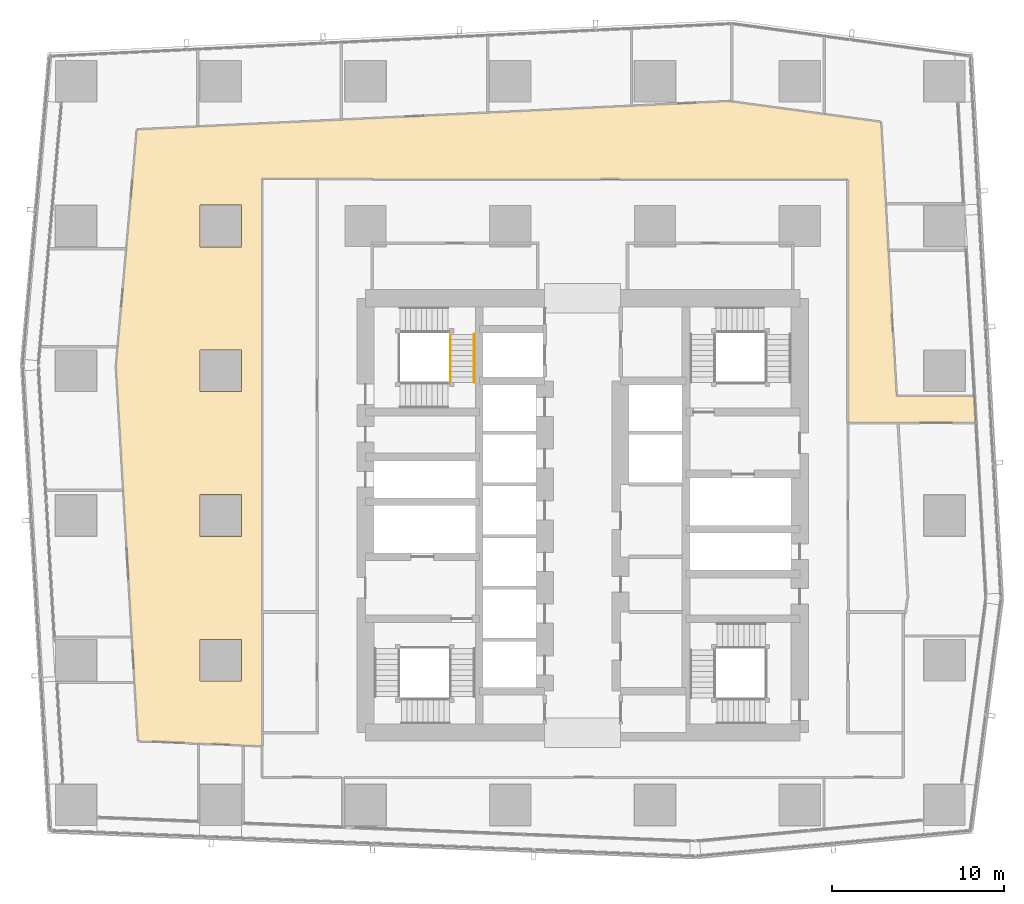
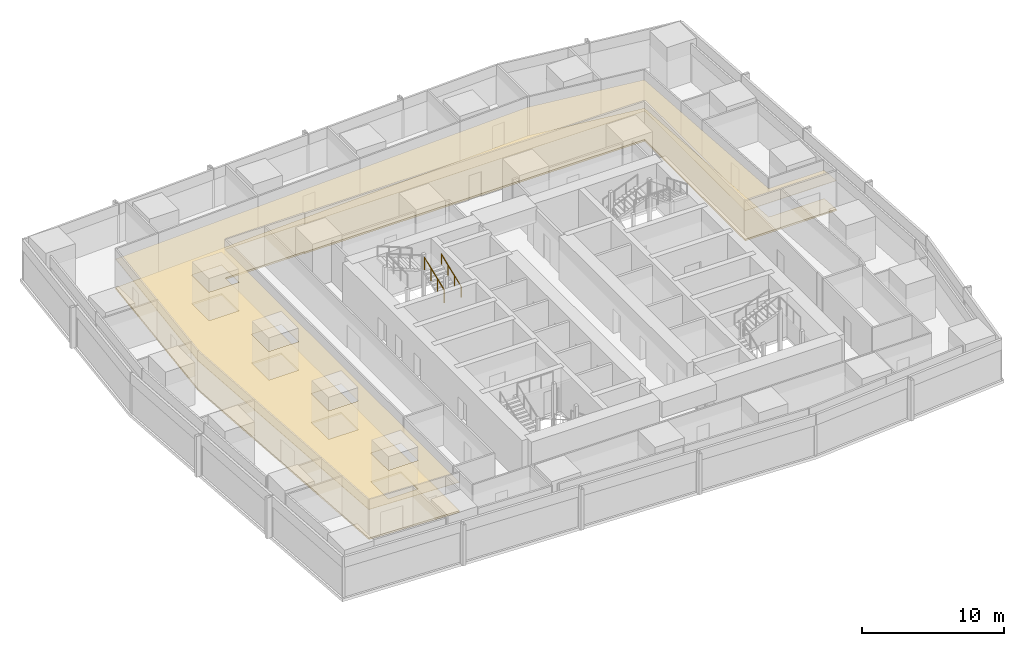
# One storey, part 32 of 37: 2 coverings, 2 railings.
"""IFC4 building model written with IfcOpenShell, lengths in metres."""

from ifc_helpers import new_model, si_unit, direction, frame, origin, origin_2d, place, context, subcontext, project, spatial, polyline, circle, outline, extrude, material, layer, layer_set, type_object, element, save


model = new_model("IFC4")

# Units and contexts
model_context = context("Model", 3, precision=1e-05, world=origin(), true_north=direction((0.0, 1.0)))
body_context = subcontext(model_context, "Body", "Model", "MODEL_VIEW")
ifc_project = project(units=[si_unit("LENGTHUNIT", "METRE"), si_unit("AREAUNIT", "SQUARE_METRE"), si_unit("VOLUMEUNIT", "CUBIC_METRE"), si_unit("PLANEANGLEUNIT", "RADIAN"), si_unit("MASSUNIT", "GRAM", prefix="KILO")], contexts=[model_context])

# Site, building, storey
site_placement = place(None, origin())
site = spatial("IfcSite", under=ifc_project, at=site_placement, CompositionType="ELEMENT")
building_placement = place(site_placement, origin())
building = spatial("IfcBuilding", under=site, at=building_placement, Name="Rekha Terrace Tower", CompositionType="ELEMENT")
storey_placement = place(building_placement, frame((0.0, 0.0, 228.949951171875)))
storey = spatial("IfcBuildingStorey", under=building, at=storey_placement, Name="L58", CompositionType="ELEMENT", Elevation=228.949951171875)

# Covering
ifc_material_1 = material(Name="Mineral fibre tile in exposed grid", Category="finish")
ifc_layer_1 = layer(ifc_material_1, 0.02001953125)
ifc_layer_set_1 = layer_set([ifc_layer_1], Name="Mineral fibre tile in exposed grid")
covering_type_1 = type_object("IfcCoveringType", Name="CL1 600x1200 office grid ceiling", PredefinedType="CEILING", material=ifc_layer_set_1)
covering_1_placement = place(storey_placement, frame((0.0, 0.0, 2.580078125)))
element("IfcCovering", 1, at=covering_1_placement, inside=storey, type_object=covering_type_1, Name="Ceiling L58-O1", PredefinedType="CEILING", context=body_context, shape_type="SweptSolid", body=[
    extrude(outline(polyline([(11.327880859375, 49.080078125), (10.825927734375, 43.39111328125), (10.72509765625, 42.2490234375), (11.14892578125, 35.0439453125), (11.64990234375, 26.531005859375), (11.802978515625, 23.927001953125), (12.0048828125, 20.5048828125), (15.5439453125, 20.364013671875), (18.110107421875, 20.260986328125), (19.199951171875, 20.218017578125), (19.199951171875, 53.14990234375), (25.60009765625, 53.14990234375), (25.60009765625, 53.10009765625), (53.199951171875, 53.10009765625), (53.199951171875, 38.98095703125), (60.60693359375, 38.98095703125), (60.51904296875, 40.531005859375), (56.011962890625, 40.531005859375), (55.530029296875, 49.012939453125), (55.37890625, 51.673095703125), (55.10888671875, 56.43310546875), (51.827880859375, 56.8798828125), (46.444091796875, 57.612060546875), (46.281005859375, 57.634033203125), (40.612060546875, 57.363037109375), (32.284912109375, 56.965087890625), (23.778076171875, 56.55810546875), (15.450927734375, 56.159912109375), (11.93798828125, 55.992919921875), (11.327880859375, 49.080078125)]), holes=[polyline([(18.014892578125, 23.985107421875), (15.5849609375, 23.985107421875), (15.5849609375, 26.4150390625), (18.014892578125, 26.4150390625), (18.014892578125, 23.985107421875)]), polyline([(18.014892578125, 32.385009765625), (15.5849609375, 32.385009765625), (15.5849609375, 34.81494140625), (18.014892578125, 34.81494140625), (18.014892578125, 32.385009765625)]), polyline([(18.014892578125, 43.215087890625), (18.014892578125, 40.784912109375), (15.5849609375, 40.784912109375), (15.5849609375, 43.215087890625), (18.014892578125, 43.215087890625)]), polyline([(18.014892578125, 51.614990234375), (18.014892578125, 49.18505859375), (15.5849609375, 49.18505859375), (15.5849609375, 51.614990234375), (18.014892578125, 51.614990234375)])]), origin(), (0.0, 0.0, 1.0), 0.02001953125),
])

# Railings
ifc_material_2 = material(Name="Stainless steel balustrade", Category="steel")
railing_type_1 = type_object("IfcRailingType", Name="GR1 1100 stair guard", PredefinedType="GUARDRAIL", material=ifc_material_2)
railing_1_placement = place(storey_placement, frame((30.135009765625, 41.324951171875, 1.375)))
element("IfcRailing", 2, at=railing_1_placement, inside=storey, type_object=railing_type_1, Name="Guard ST4 L58 flight 2", PredefinedType="GUARDRAIL", context=body_context, shape_type="SweptSolid", body=[
    extrude(circle(Radius=0.02392578125, at=origin_2d()), frame((0.0, 0.0, 1.076171875), z_axis=(0.0, 0.927443287984, 0.373963831907), x_axis=(-1.0, 0.0, 0.0)), (0.0, 0.0, 1.0), 3.00830078125),
    extrude(circle(Radius=0.02099609375, at=origin_2d()), origin(), (0.0, 0.0, 1.0), 1.052001953125),
    extrude(circle(Radius=0.02099609375, at=origin_2d()), frame((0.0, 0.929931640625, 0.375)), (0.0, 0.0, 1.0), 1.052001953125),
    extrude(circle(Radius=0.02099609375, at=origin_2d()), frame((0.0, 1.860107421875, 0.75)), (0.0, 0.0, 1.0), 1.052001953125),
    extrude(circle(Radius=0.02099609375, at=origin_2d()), frame((0.0, 2.7900390625, 1.125)), (0.0, 0.0, 1.0), 1.052001953125),
])
ifc_material_3 = material(Name="Stainless steel tube", Category="steel")
railing_type_2 = type_object("IfcRailingType", Name="HR1 900 stair handrail", PredefinedType="HANDRAIL", material=ifc_material_3)
railing_2_placement = place(storey_placement, frame((31.514892578125, 41.324951171875, 1.375)))
element("IfcRailing", 3, at=railing_2_placement, inside=storey, type_object=railing_type_2, Name="Handrail ST4 L58 flight 2", PredefinedType="HANDRAIL", context=body_context, shape_type="SweptSolid", body=[
    extrude(circle(Radius=0.02392578125, at=origin_2d()), frame((0.0, 0.0, 0.8759765625), z_axis=(0.0, 0.927443287984, 0.373963831907), x_axis=(-1.0, 0.0, 0.0)), (0.0, 0.0, 1.0), 3.00830078125),
    extrude(circle(Radius=0.02099609375, at=origin_2d()), origin(), (0.0, 0.0, 1.0), 0.851806640625),
    extrude(circle(Radius=0.02099609375, at=origin_2d()), frame((0.0, 0.929931640625, 0.375)), (0.0, 0.0, 1.0), 0.851806640625),
    extrude(circle(Radius=0.02099609375, at=origin_2d()), frame((0.0, 1.860107421875, 0.75)), (0.0, 0.0, 1.0), 0.851806640625),
    extrude(circle(Radius=0.02099609375, at=origin_2d()), frame((0.0, 2.7900390625, 1.125)), (0.0, 0.0, 1.0), 0.851806640625),
])

# Covering
ifc_material_4 = material(Name="Calcium sulphate panels on steel pedestals", Category="steel")
ifc_layer_2 = layer(ifc_material_4, 0.14990234375)
ifc_layer_set_2 = layer_set([ifc_layer_2], Name="Calcium sulphate panels on steel pedestals")
covering_type_2 = type_object("IfcCoveringType", Name="RF1 150 raised access floor", PredefinedType="FLOORING", material=ifc_layer_set_2)
covering_2_placement = place(storey_placement, origin())
element("IfcCovering", 4, at=covering_2_placement, inside=storey, type_object=covering_type_2, Name="Raised floor L58-O1", PredefinedType="FLOORING", context=body_context, shape_type="SweptSolid", body=[
    extrude(outline(polyline([(11.327880859375, 49.080078125), (10.825927734375, 43.39111328125), (10.72509765625, 42.2490234375), (11.14892578125, 35.0439453125), (11.64990234375, 26.531005859375), (11.802978515625, 23.927001953125), (12.0048828125, 20.5048828125), (15.5439453125, 20.364013671875), (18.110107421875, 20.260986328125), (19.199951171875, 20.218017578125), (19.199951171875, 53.14990234375), (25.60009765625, 53.14990234375), (25.60009765625, 53.10009765625), (53.199951171875, 53.10009765625), (53.199951171875, 38.98095703125), (60.60693359375, 38.98095703125), (60.51904296875, 40.531005859375), (56.011962890625, 40.531005859375), (55.530029296875, 49.012939453125), (55.37890625, 51.673095703125), (55.10888671875, 56.43310546875), (51.827880859375, 56.8798828125), (46.444091796875, 57.612060546875), (46.281005859375, 57.634033203125), (40.612060546875, 57.363037109375), (32.284912109375, 56.965087890625), (23.778076171875, 56.55810546875), (15.450927734375, 56.159912109375), (11.93798828125, 55.992919921875), (11.327880859375, 49.080078125)]), holes=[polyline([(18.014892578125, 23.985107421875), (15.5849609375, 23.985107421875), (15.5849609375, 26.4150390625), (18.014892578125, 26.4150390625), (18.014892578125, 23.985107421875)]), polyline([(18.014892578125, 32.385009765625), (15.5849609375, 32.385009765625), (15.5849609375, 34.81494140625), (18.014892578125, 34.81494140625), (18.014892578125, 32.385009765625)]), polyline([(18.014892578125, 43.215087890625), (18.014892578125, 40.784912109375), (15.5849609375, 40.784912109375), (15.5849609375, 43.215087890625), (18.014892578125, 43.215087890625)]), polyline([(18.014892578125, 51.614990234375), (18.014892578125, 49.18505859375), (15.5849609375, 49.18505859375), (15.5849609375, 51.614990234375), (18.014892578125, 51.614990234375)])]), origin(), (0.0, 0.0, 1.0), 0.150146484375),
])

save(model, "model.ifc")
